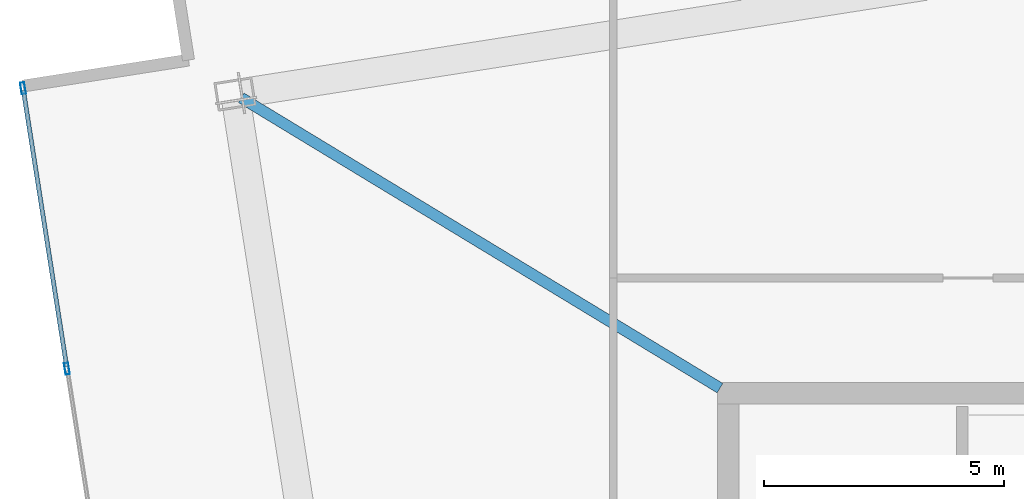
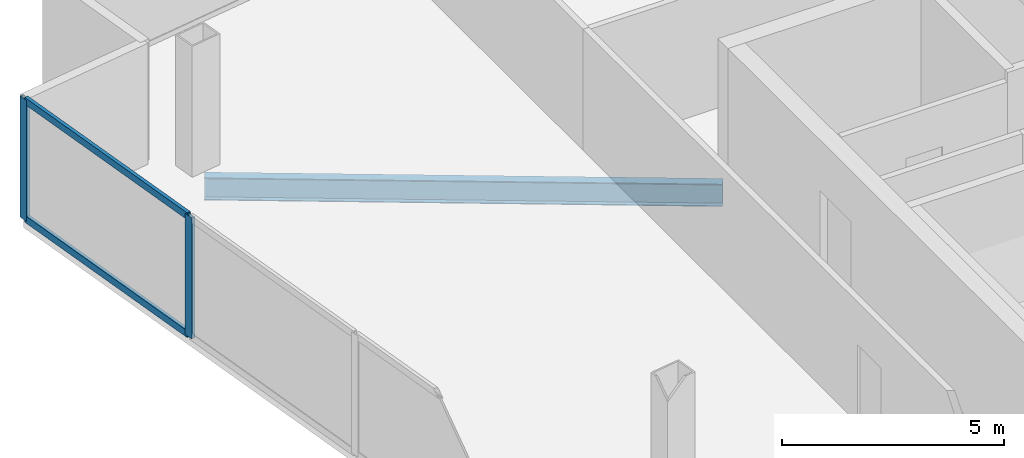
# One storey, part 9 of 17: 4 members, 1 beam, 1 element without a shape of its own.
"""IFC4 building model written with IfcOpenShell, lengths in metres."""

from ifc_helpers import new_model, si_unit, direction, frame, origin, origin_2d, place, context, subcontext, project, spatial, hollow_rectangle, i_section, extrude, material, material_profile, profile_set, type_object, element, aggregate, save


model = new_model("IFC4")

# Units and contexts
model_context = context("Model", 3, precision=1e-05, world=origin(), true_north=direction((0.0, 1.0)))
body_context = subcontext(model_context, "Body", "Model", "MODEL_VIEW")
ifc_project = project(units=[si_unit("LENGTHUNIT", "METRE"), si_unit("AREAUNIT", "SQUARE_METRE"), si_unit("VOLUMEUNIT", "CUBIC_METRE"), si_unit("PLANEANGLEUNIT", "RADIAN"), si_unit("MASSUNIT", "GRAM", prefix="KILO")], contexts=[model_context])

# Site, building, storey
site_placement = place(None, origin())
site = spatial("IfcSite", under=ifc_project, at=site_placement, CompositionType="ELEMENT")
building_placement = place(site_placement, origin())
building = spatial("IfcBuilding", under=site, at=building_placement, Name="Haldenkirk Collegiate Tower", CompositionType="ELEMENT")
storey_placement = place(building_placement, frame((0.0, 0.0, 367.800048828125)))
storey = spatial("IfcBuildingStorey", under=building, at=storey_placement, Name="L93", CompositionType="ELEMENT", Elevation=367.800048828125)

# Beam
ifc_material_1 = material(Name="Steel ASTM A992 Grade 50", Category="steel")
ifc_material_profile_1 = material_profile(ifc_material_1, i_section(OverallWidth=0.22998046875, OverallDepth=0.616943359375, WebThickness=0.01318359375, FlangeThickness=0.022216796875, at=origin_2d()), Name="W24X94")
ifc_profile_set_1 = profile_set([ifc_material_profile_1], Name="Steel ASTM A992 Grade 50")
beam_type = type_object("IfcBeamType", Name="BM-GIRDER-W24X94", PredefinedType="BEAM", material=ifc_profile_set_1)
beam_placement = place(storey_placement, frame((16.843505859375, 40.159912109375, -0.57861328125), z_axis=(0.855035491558, -0.518569482496, 0.0), x_axis=(0.518569482496, 0.855035491558, 0.0)))
element("IfcBeam", 1, at=beam_placement, inside=storey, type_object=beam_type, Name="L93 crown radial floor beam 5", PredefinedType="BEAM", context=body_context, shape_type="SweptSolid", body=[
    extrude(i_section(OverallWidth=0.22998046875, OverallDepth=0.616943359375, WebThickness=0.01318359375, FlangeThickness=0.022216796875, at=origin_2d()), origin(), (0.0, 0.0, 1.0), 11.678466796875),
])

# Curtain wall, members
ifc_material_2 = material(Name="Anodised architectural bronze aluminium", Category="aluminium")
curtain_wall_type = type_object("IfcCurtainWallType", Name="CW-SYS6-CROWN", PredefinedType="USERDEFINED", material=ifc_material_2)
curtain_wall_placement = place(storey_placement, origin())
curtain_wall = element("IfcCurtainWall", 2, at=curtain_wall_placement, inside=storey, type_object=curtain_wall_type, Name="L93 Closed crown ring ceramic-fritted bronze screen curtain wall", ObjectType="UNITISED CURTAIN WALL", PredefinedType="USERDEFINED")
ifc_material_profile_2 = material_profile(ifc_material_2, hollow_rectangle(XDim=0.090087890625, YDim=0.239990234375, WallThickness=0.0048828125, at=origin_2d()), Name="CW-MUL-06")
ifc_profile_set_2 = profile_set([ifc_material_profile_2], Name="Anodised architectural bronze aluminium")
member_type_1 = type_object("IfcMemberType", Name="CW-MUL-06", PredefinedType="MULLION", material=ifc_profile_set_2)
member_1_placement = place(storey_placement, frame((13.208984375, 34.509765625, 0.0), z_axis=(0.0, 0.0, 1.0), x_axis=(-0.987959532462, -0.154712514742, 0.0)))
member_1 = element("IfcMember", 3, at=member_1_placement, type_object=member_type_1, Name="CW-06 mullion 6", PredefinedType="MULLION", context=body_context, shape_type="SweptSolid", body=[
    extrude(hollow_rectangle(XDim=0.090087890625, YDim=0.239990234375, WallThickness=0.0048828125, at=origin_2d()), origin(), (0.0, 0.0, 1.0), 3.329833984375),
])
member_2_placement = place(storey_placement, frame((12.29296875, 40.360107421875, 0.0), z_axis=(0.0, 0.0, 1.0), x_axis=(-0.987959532462, -0.154712514742, 0.0)))
member_2 = element("IfcMember", 4, at=member_2_placement, type_object=member_type_1, Name="CW-06 mullion 7", PredefinedType="MULLION", context=body_context, shape_type="SweptSolid", body=[
    extrude(hollow_rectangle(XDim=0.090087890625, YDim=0.239990234375, WallThickness=0.0048828125, at=origin_2d()), origin(), (0.0, 0.0, 1.0), 3.329833984375),
])
ifc_material_profile_3 = material_profile(ifc_material_2, hollow_rectangle(XDim=0.090087890625, YDim=0.18994140625, WallThickness=0.0048828125, at=origin_2d()), Name="CW-TRN-06")
ifc_profile_set_3 = profile_set([ifc_material_profile_3], Name="Anodised architectural bronze aluminium")
member_type_2 = type_object("IfcMemberType", Name="CW-TRN-06", PredefinedType="USERDEFINED", material=ifc_profile_set_3)
member_3_placement = place(storey_placement, frame((13.2021484375, 34.55419921875, 0.044921875), z_axis=(-0.154730622105, 0.987956696714, 0.0), x_axis=(-0.987956696714, -0.154730622105, 0.0)))
member_3 = element("IfcMember", 5, at=member_3_placement, type_object=member_type_2, Name="CW-06 transom 6.1", ObjectType="TRANSOM", PredefinedType="USERDEFINED", context=body_context, shape_type="SweptSolid", body=[
    extrude(hollow_rectangle(XDim=0.090087890625, YDim=0.18994140625, WallThickness=0.0048828125, at=origin_2d()), origin(), (0.0, 0.0, 1.0), 5.831787109375),
])
member_4_placement = place(storey_placement, frame((13.2021484375, 34.55419921875, 3.284912109375), z_axis=(-0.154730622105, 0.987956696714, 0.0), x_axis=(-0.987956696714, -0.154730622105, 0.0)))
member_4 = element("IfcMember", 6, at=member_4_placement, type_object=member_type_2, Name="CW-06 transom 6.2", ObjectType="TRANSOM", PredefinedType="USERDEFINED", context=body_context, shape_type="SweptSolid", body=[
    extrude(hollow_rectangle(XDim=0.090087890625, YDim=0.18994140625, WallThickness=0.0048828125, at=origin_2d()), origin(), (0.0, 0.0, 1.0), 5.831787109375),
])
aggregate(curtain_wall, [member_1, member_2, member_3, member_4])

save(model, "model.ifc")
